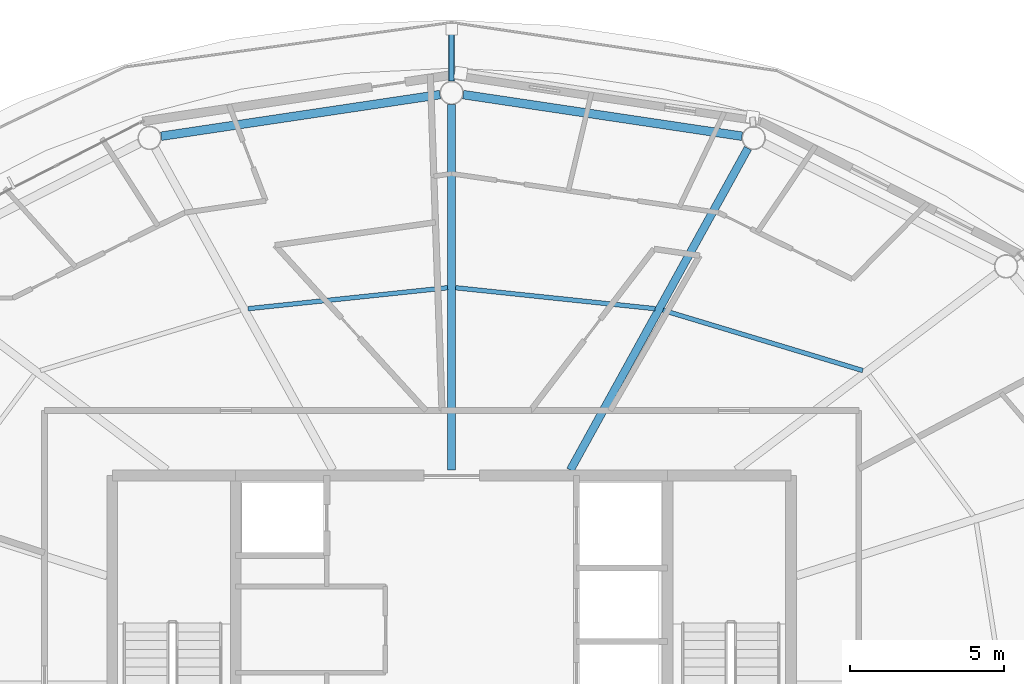
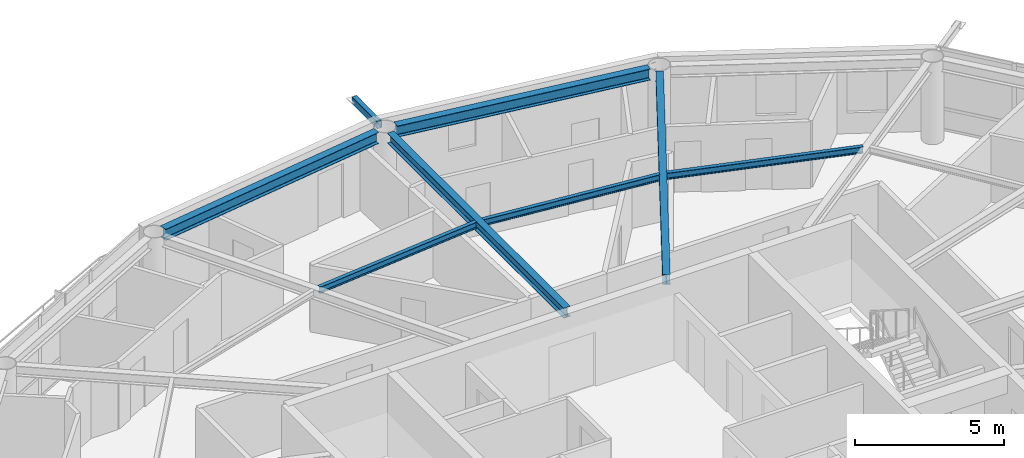
# One storey, part 10 of 22: 7 beams, 1 member.
"""IFC4 building model written with IfcOpenShell, lengths in metres."""

from ifc_helpers import new_model, si_unit, direction, frame, origin, origin_2d, place, context, subcontext, project, spatial, hollow_rectangle, i_section, extrude, material, material_profile, profile_set, type_object, element, save


model = new_model("IFC4")

# Units and contexts
model_context = context("Model", 3, precision=1e-05, world=origin(), true_north=direction((0.0, 1.0)))
body_context = subcontext(model_context, "Body", "Model", "MODEL_VIEW")
ifc_project = project(units=[si_unit("LENGTHUNIT", "METRE"), si_unit("AREAUNIT", "SQUARE_METRE"), si_unit("VOLUMEUNIT", "CUBIC_METRE"), si_unit("PLANEANGLEUNIT", "RADIAN"), si_unit("MASSUNIT", "GRAM", prefix="KILO")], contexts=[model_context])

# Site, building, storey
site_placement = place(None, origin())
site = spatial("IfcSite", under=ifc_project, at=site_placement, CompositionType="ELEMENT")
building_placement = place(site_placement, origin())
building = spatial("IfcBuilding", under=site, at=building_placement, Name="Sarneth Arch Tower", CompositionType="ELEMENT")
storey_placement = place(building_placement, frame((0.0, 0.0, 283.800048828125)))
storey = spatial("IfcBuildingStorey", under=building, at=storey_placement, Name="L73", CompositionType="ELEMENT", Elevation=283.800048828125)

# Beams
ifc_material_1 = material(Name="Steel S355", Category="steel")
ifc_material_profile_1 = material_profile(ifc_material_1, i_section(OverallWidth=0.14794921875, OverallDepth=0.26611328125, WebThickness=0.007568359375, FlangeThickness=0.012939453125, FilletRadius=0.012939453125, at=origin_2d()), Name="W250x44.8")
ifc_profile_set_1 = profile_set([ifc_material_profile_1], Name="Steel S355")
beam_type_1 = type_object("IfcBeamType", Name="BM-JOIST-250", PredefinedType="JOIST", material=ifc_profile_set_1)
beam_1_placement = place(storey_placement, frame((61.32861328125, 52.198486328125, 3.237060546875), z_axis=(-0.957373106971, 0.288854174367, 0.0), x_axis=(-0.288854174367, -0.957373106971, 0.0)))
element("IfcBeam", 1, at=beam_1_placement, inside=storey, type_object=beam_type_1, Name="L73 Secondary floor joist 03", PredefinedType="JOIST", context=body_context, shape_type="SweptSolid", body=[
    extrude(i_section(OverallWidth=0.14794921875, OverallDepth=0.26611328125, WebThickness=0.007568359375, FlangeThickness=0.012939453125, FilletRadius=0.012939453125, at=origin_2d()), origin(), (0.0, 0.0, 1.0), 6.76416015625),
])
for number, where, z_axis, x_axis, name in (
    (2, (54.59912109375, 54.20361328125, 3.237060546875), (-0.994526818736, 0.104481609938, 0.0), (-0.104481609938, -0.994526818736, 0.0), "L73 Secondary floor joist 04"),
    (3, (47.87060546875, 54.88330078125, 3.237060546875), (-0.994526818736, -0.104481609938, 0.0), (0.104481609938, -0.994526818736, 0.0), "L73 Secondary floor joist 05"),
):
    element("IfcBeam", number, at=place(storey_placement, frame(where, z_axis=z_axis, x_axis=x_axis)), inside=storey, type_object=beam_type_1, Name=name, PredefinedType="JOIST", context=body_context, shape_type="SweptSolid", body=[
        extrude(i_section(OverallWidth=0.14794921875, OverallDepth=0.26611328125, WebThickness=0.007568359375, FlangeThickness=0.012939453125, FilletRadius=0.012939453125, at=origin_2d()), origin(), (0.0, 0.0, 1.0), 6.50537109375),
    ])
ifc_material_2 = material(Name="Steel S355", Category="steel")
ifc_material_profile_2 = material_profile(ifc_material_2, i_section(OverallWidth=0.260009765625, OverallDepth=0.4150390625, WebThickness=0.010009765625, FlangeThickness=0.016845703125, FilletRadius=0.01611328125, at=origin_2d()), Name="W410x100")
ifc_profile_set_2 = profile_set([ifc_material_profile_2], Name="Steel S355")
beam_type_2 = type_object("IfcBeamType", Name="BM-RAD-410A", PredefinedType="BEAM", material=ifc_profile_set_2)
beam_2_placement = place(storey_placement, frame((51.849853515625, 48.97509765625, 3.162353515625), z_axis=(0.483231193732, 0.875492783182, 0.0), x_axis=(-0.875492783182, 0.483231193732, 0.0)))
element("IfcBeam", 4, at=beam_2_placement, inside=storey, type_object=beam_type_2, Name="L73 Radial floor girder 04", PredefinedType="BEAM", context=body_context, shape_type="SweptSolid", body=[
    extrude(i_section(OverallWidth=0.260009765625, OverallDepth=0.4150390625, WebThickness=0.010009765625, FlangeThickness=0.016845703125, FilletRadius=0.01611328125, at=origin_2d()), origin(), (0.0, 0.0, 1.0), 11.913330078125),
])
beam_3_placement = place(storey_placement, frame((48.0, 48.97509765625, 3.162353515625), z_axis=(0.0, 1.0, 0.0), x_axis=(-1.0, 0.0, 0.0)))
element("IfcBeam", 5, at=beam_3_placement, inside=storey, type_object=beam_type_2, Name="L73 Radial floor girder 05", PredefinedType="BEAM", context=body_context, shape_type="SweptSolid", body=[
    extrude(i_section(OverallWidth=0.260009765625, OverallDepth=0.4150390625, WebThickness=0.010009765625, FlangeThickness=0.016845703125, FilletRadius=0.01611328125, at=origin_2d()), origin(), (0.0, 0.0, 1.0), 11.843994140625),
])
ifc_material_3 = material(Name="Steel S355", Category="steel")
ifc_material_profile_3 = material_profile(ifc_material_3, i_section(OverallWidth=0.280029296875, OverallDepth=0.462890625, WebThickness=0.0107421875, FlangeThickness=0.017333984375, FilletRadius=0.01806640625, at=origin_2d()), Name="W460x113")
ifc_profile_set_3 = profile_set([ifc_material_profile_3], Name="Steel S355")
beam_type_3 = type_object("IfcBeamType", Name="BM-RAD-460A", PredefinedType="BEAM", material=ifc_profile_set_3)
for number, where, z_axis, x_axis, name in (
    (6, (57.4140625, 59.794677734375, 3.138427734375), (-0.989040174637, 0.147646648973, 0.0), (-0.147646648973, -0.989040174637, 0.0), "L73 Perimeter spandrel beam 04"),
    (7, (47.623291015625, 61.143798828125, 3.138427734375), (-0.989040174637, -0.147646648973, 0.0), (0.147646648973, -0.989040174637, 0.0), "L73 Perimeter spandrel beam 05"),
):
    element("IfcBeam", number, at=place(storey_placement, frame(where, z_axis=z_axis, x_axis=x_axis)), inside=storey, type_object=beam_type_3, Name=name, PredefinedType="BEAM", context=body_context, shape_type="SweptSolid", body=[
        extrude(i_section(OverallWidth=0.280029296875, OverallDepth=0.462890625, WebThickness=0.0107421875, FlangeThickness=0.017333984375, FilletRadius=0.01806640625, at=origin_2d()), origin(), (0.0, 0.0, 1.0), 9.137451171875),
    ])

# Member
ifc_material_4 = material(Name="Steel S355", Category="steel")
ifc_material_profile_4 = material_profile(ifc_material_4, hollow_rectangle(XDim=0.199951171875, YDim=0.300048828125, WallThickness=0.012451171875, InnerFilletRadius=0.018798828125, OuterFilletRadius=0.03125, at=origin_2d()), Name="RHS300x200x12.5")
ifc_profile_set_4 = profile_set([ifc_material_profile_4], Name="Steel S355")
member_type = type_object("IfcMemberType", Name="MEM-CANT-STRUT", PredefinedType="STRUT", material=ifc_profile_set_4)
member_placement = place(storey_placement, frame((48.0, 61.5810546875, 3.2099609375), z_axis=(0.0, 1.0, 0.0), x_axis=(-1.0, 0.0, 0.0)))
element("IfcMember", 8, at=member_placement, inside=storey, type_object=member_type, Name="L73 Balcony cantilever bracket 05", PredefinedType="STRUT", context=body_context, shape_type="SweptSolid", body=[
    extrude(hollow_rectangle(XDim=0.199951171875, YDim=0.300048828125, WallThickness=0.012451171875, InnerFilletRadius=0.018798828125, OuterFilletRadius=0.03125, at=origin_2d()), origin(), (0.0, 0.0, 1.0), 1.682373046875),
])

save(model, "model.ifc")
